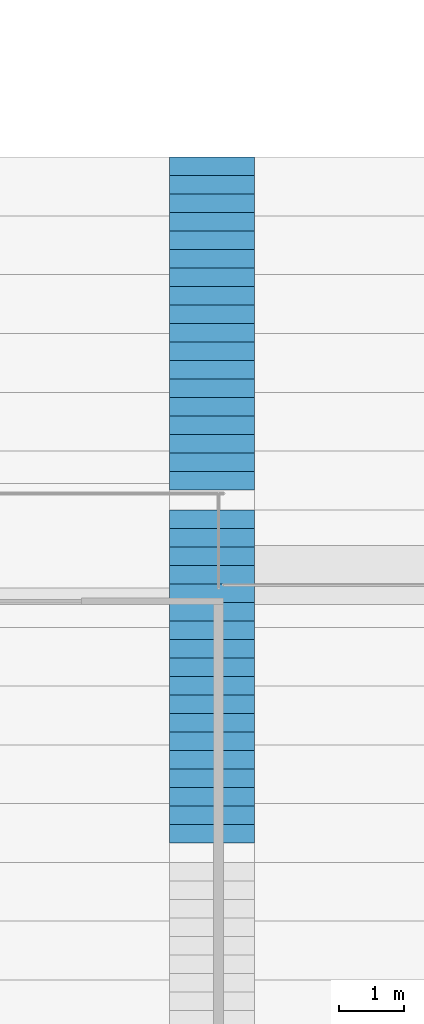
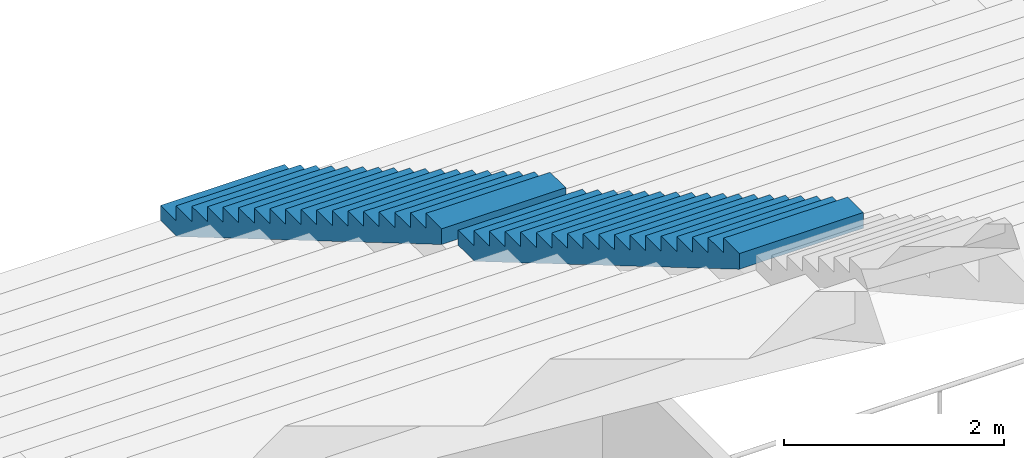
# One storey, part 150 of 249: 2 stair flights, 1 element without a shape of its own.
"""IFC4 building model written with IfcOpenShell, lengths in metres."""

from ifc_helpers import new_model, si_unit, direction, frame, origin, place, context, subcontext, project, spatial, faceted_brep, material, type_object, element, aggregate, save


model = new_model("IFC4")

# Units and contexts
model_context = context("Model", 3, precision=1e-05, world=origin(), true_north=direction((0.0, 1.0)))
body_context = subcontext(model_context, "Body", "Model", "MODEL_VIEW")
ifc_project = project(units=[si_unit("LENGTHUNIT", "METRE"), si_unit("AREAUNIT", "SQUARE_METRE"), si_unit("VOLUMEUNIT", "CUBIC_METRE"), si_unit("PLANEANGLEUNIT", "RADIAN"), si_unit("MASSUNIT", "GRAM", prefix="KILO")], contexts=[model_context])

# Site, building, storey
site_placement = place(None, origin())
site = spatial("IfcSite", under=ifc_project, at=site_placement, CompositionType="ELEMENT")
building_placement = place(site_placement, origin())
building = spatial("IfcBuilding", under=site, at=building_placement, Name="Ogive Plaza Stadium", CompositionType="ELEMENT")
storey_placement = place(building_placement, frame((0.0, 0.0, 13.5)))
storey = spatial("IfcBuildingStorey", under=building, at=storey_placement, Name="L03", CompositionType="ELEMENT", Elevation=13.5)

# Stair, stair flights
ifc_material_1 = material(Name="Concrete C40/50", Category="concrete")
stair_type = type_object("IfcStairType", Name="Aisle stair", PredefinedType="STRAIGHT_RUN_STAIR", material=ifc_material_1)
stair_placement = place(storey_placement, origin())
stair = element("IfcStair", 1, at=stair_placement, inside=storey, type_object=stair_type, Name="Aisle stair SA15U", PredefinedType="STRAIGHT_RUN_STAIR")
ifc_material_2 = material(Name="Concrete C40/50", Category="concrete")
stair_flight_type = type_object("IfcStairFlightType", Name="Aisle stair flight", PredefinedType="STRAIGHT", material=ifc_material_2)
stair_flight_1_placement = place(storey_placement, frame((-13.60009765625, -74.0, 0.5), z_axis=(0.0, 0.0, 1.0), x_axis=(0.0, -1.0, 0.0)))
stair_flight_1 = element("IfcStairFlight", 2, at=stair_flight_1_placement, type_object=stair_flight_type, Name="SA15U flight 1", NumberOfRisers=18, NumberOfTreads=17, PredefinedType="STRAIGHT", RiserHeight=0.166666667, TreadLength=0.283333333, context=body_context, shape_type="Brep", body=[
    faceted_brep([(0.295654296875, -0.64990234375, 0.0), (5.10009765625, -0.64990234375, 2.826171875), (5.10009765625, -0.64990234375, 3.0), (4.816650390625, -0.64990234375, 3.0), (4.816650390625, -0.64990234375, 2.833251953125), (4.533447265625, -0.64990234375, 2.833251953125), (4.533447265625, -0.64990234375, 2.666748046875), (4.25, -0.64990234375, 2.666748046875), (4.25, -0.64990234375, 2.5), (3.966552734375, -0.64990234375, 2.5), (3.966552734375, -0.64990234375, 2.333251953125), (3.683349609375, -0.64990234375, 2.333251953125), (3.683349609375, -0.64990234375, 2.166748046875), (3.39990234375, -0.64990234375, 2.166748046875), (3.39990234375, -0.64990234375, 2.0), (3.11669921875, -0.64990234375, 2.0), (3.11669921875, -0.64990234375, 1.833251953125), (2.833251953125, -0.64990234375, 1.833251953125), (2.833251953125, -0.64990234375, 1.666748046875), (2.550048828125, -0.64990234375, 1.666748046875), (2.550048828125, -0.64990234375, 1.5), (2.2666015625, -0.64990234375, 1.5), (2.2666015625, -0.64990234375, 1.333251953125), (1.9833984375, -0.64990234375, 1.333251953125), (1.9833984375, -0.64990234375, 1.166748046875), (1.699951171875, -0.64990234375, 1.166748046875), (1.699951171875, -0.64990234375, 1.0), (1.416748046875, -0.64990234375, 1.0), (1.416748046875, -0.64990234375, 0.833251953125), (1.13330078125, -0.64990234375, 0.833251953125), (1.13330078125, -0.64990234375, 0.666748046875), (0.85009765625, -0.64990234375, 0.666748046875), (0.85009765625, -0.64990234375, 0.5), (0.566650390625, -0.64990234375, 0.5), (0.566650390625, -0.64990234375, 0.333251953125), (0.283447265625, -0.64990234375, 0.333251953125), (0.283447265625, -0.64990234375, 0.166748046875), (0.0, -0.64990234375, 0.166748046875), (0.0, -0.64990234375, 0.0), (0.0, 0.64990234375, 0.0), (0.0, 0.64990234375, 0.166748046875), (0.283447265625, 0.64990234375, 0.166748046875), (0.283447265625, 0.64990234375, 0.333251953125), (0.566650390625, 0.64990234375, 0.333251953125), (0.566650390625, 0.64990234375, 0.5), (0.85009765625, 0.64990234375, 0.5), (0.85009765625, 0.64990234375, 0.666748046875), (1.13330078125, 0.64990234375, 0.666748046875), (1.13330078125, 0.64990234375, 0.833251953125), (1.416748046875, 0.64990234375, 0.833251953125), (1.416748046875, 0.64990234375, 1.0), (1.699951171875, 0.64990234375, 1.0), (1.699951171875, 0.64990234375, 1.166748046875), (1.9833984375, 0.64990234375, 1.166748046875), (1.9833984375, 0.64990234375, 1.333251953125), (2.2666015625, 0.64990234375, 1.333251953125), (2.2666015625, 0.64990234375, 1.5), (2.550048828125, 0.64990234375, 1.5), (2.550048828125, 0.64990234375, 1.666748046875), (2.833251953125, 0.64990234375, 1.666748046875), (2.833251953125, 0.64990234375, 1.833251953125), (3.11669921875, 0.64990234375, 1.833251953125), (3.11669921875, 0.64990234375, 2.0), (3.39990234375, 0.64990234375, 2.0), (3.39990234375, 0.64990234375, 2.166748046875), (3.683349609375, 0.64990234375, 2.166748046875), (3.683349609375, 0.64990234375, 2.333251953125), (3.966552734375, 0.64990234375, 2.333251953125), (3.966552734375, 0.64990234375, 2.5), (4.25, 0.64990234375, 2.5), (4.25, 0.64990234375, 2.666748046875), (4.533447265625, 0.64990234375, 2.666748046875), (4.533447265625, 0.64990234375, 2.833251953125), (4.816650390625, 0.64990234375, 2.833251953125), (4.816650390625, 0.64990234375, 3.0), (5.10009765625, 0.64990234375, 3.0), (5.10009765625, 0.64990234375, 2.826171875), (0.295654296875, 0.64990234375, 0.0), (0.295654296875, -0.324951171875, 0.0), (5.10009765625, -0.324951171875, 2.826171875), (0.295654296875, 0.0, 0.0), (5.10009765625, 0.0, 2.826171875), (0.295654296875, 0.324951171875, 0.0), (5.10009765625, 0.324951171875, 2.826171875), (5.10009765625, -0.324951171875, 3.0), (5.10009765625, 0.0, 3.0), (5.10009765625, 0.324951171875, 3.0), (4.816650390625, -0.324951171875, 3.0), (4.816650390625, 0.0, 3.0), (4.816650390625, 0.324951171875, 3.0), (4.816650390625, -0.324951171875, 2.833251953125), (4.816650390625, 0.0, 2.833251953125), (4.816650390625, 0.324951171875, 2.833251953125), (4.533447265625, -0.324951171875, 2.833251953125), (4.533447265625, 0.0, 2.833251953125), (4.533447265625, 0.324951171875, 2.833251953125), (4.533447265625, -0.324951171875, 2.666748046875), (4.533447265625, 0.0, 2.666748046875), (4.533447265625, 0.324951171875, 2.666748046875), (4.25, -0.324951171875, 2.666748046875), (4.25, 0.0, 2.666748046875), (4.25, 0.324951171875, 2.666748046875), (4.25, -0.324951171875, 2.5), (4.25, 0.0, 2.5), (4.25, 0.324951171875, 2.5), (3.966552734375, -0.324951171875, 2.5), (3.966552734375, 0.0, 2.5), (3.966552734375, 0.324951171875, 2.5), (3.966552734375, -0.324951171875, 2.333251953125), (3.966552734375, 0.0, 2.333251953125), (3.966552734375, 0.324951171875, 2.333251953125), (3.683349609375, -0.324951171875, 2.333251953125), (3.683349609375, 0.0, 2.333251953125), (3.683349609375, 0.324951171875, 2.333251953125), (3.683349609375, -0.324951171875, 2.166748046875), (3.683349609375, 0.0, 2.166748046875), (3.683349609375, 0.324951171875, 2.166748046875), (3.39990234375, -0.324951171875, 2.166748046875), (3.39990234375, 0.0, 2.166748046875), (3.39990234375, 0.324951171875, 2.166748046875), (3.39990234375, -0.324951171875, 2.0), (3.39990234375, 0.0, 2.0), (3.39990234375, 0.324951171875, 2.0), (3.11669921875, -0.324951171875, 2.0), (3.11669921875, 0.0, 2.0), (3.11669921875, 0.324951171875, 2.0), (3.11669921875, -0.324951171875, 1.833251953125), (3.11669921875, 0.0, 1.833251953125), (3.11669921875, 0.324951171875, 1.833251953125), (2.833251953125, -0.324951171875, 1.833251953125), (2.833251953125, 0.0, 1.833251953125), (2.833251953125, 0.324951171875, 1.833251953125), (2.833251953125, -0.324951171875, 1.666748046875), (2.833251953125, 0.0, 1.666748046875), (2.833251953125, 0.324951171875, 1.666748046875), (2.550048828125, -0.324951171875, 1.666748046875), (2.550048828125, 0.0, 1.666748046875), (2.550048828125, 0.324951171875, 1.666748046875), (2.550048828125, -0.324951171875, 1.5), (2.550048828125, 0.0, 1.5), (2.550048828125, 0.324951171875, 1.5), (2.2666015625, -0.324951171875, 1.5), (2.2666015625, 0.0, 1.5), (2.2666015625, 0.324951171875, 1.5), (2.2666015625, -0.324951171875, 1.333251953125), (2.2666015625, 0.0, 1.333251953125), (2.2666015625, 0.324951171875, 1.333251953125), (1.9833984375, -0.324951171875, 1.333251953125), (1.9833984375, 0.0, 1.333251953125), (1.9833984375, 0.324951171875, 1.333251953125), (1.9833984375, -0.324951171875, 1.166748046875), (1.9833984375, 0.0, 1.166748046875), (1.9833984375, 0.324951171875, 1.166748046875), (1.699951171875, -0.324951171875, 1.166748046875), (1.699951171875, 0.0, 1.166748046875), (1.699951171875, 0.324951171875, 1.166748046875), (1.699951171875, -0.324951171875, 1.0), (1.699951171875, 0.0, 1.0), (1.699951171875, 0.324951171875, 1.0), (1.416748046875, -0.324951171875, 1.0), (1.416748046875, 0.0, 1.0), (1.416748046875, 0.324951171875, 1.0), (1.416748046875, -0.324951171875, 0.833251953125), (1.416748046875, 0.0, 0.833251953125), (1.416748046875, 0.324951171875, 0.833251953125), (1.13330078125, -0.324951171875, 0.833251953125), (1.13330078125, 0.0, 0.833251953125), (1.13330078125, 0.324951171875, 0.833251953125), (1.13330078125, -0.324951171875, 0.666748046875), (1.13330078125, 0.0, 0.666748046875), (1.13330078125, 0.324951171875, 0.666748046875), (0.85009765625, -0.324951171875, 0.666748046875), (0.85009765625, 0.0, 0.666748046875), (0.85009765625, 0.324951171875, 0.666748046875), (0.85009765625, -0.324951171875, 0.5), (0.85009765625, 0.0, 0.5), (0.85009765625, 0.324951171875, 0.5), (0.566650390625, -0.324951171875, 0.5), (0.566650390625, 0.0, 0.5), (0.566650390625, 0.324951171875, 0.5), (0.566650390625, -0.324951171875, 0.333251953125), (0.566650390625, 0.0, 0.333251953125), (0.566650390625, 0.324951171875, 0.333251953125), (0.283447265625, -0.324951171875, 0.333251953125), (0.283447265625, 0.0, 0.333251953125), (0.283447265625, 0.324951171875, 0.333251953125), (0.283447265625, -0.324951171875, 0.166748046875), (0.283447265625, 0.0, 0.166748046875), (0.283447265625, 0.324951171875, 0.166748046875), (0.0, -0.324951171875, 0.166748046875), (0.0, 0.0, 0.166748046875), (0.0, 0.324951171875, 0.166748046875), (0.0, -0.324951171875, 0.0), (0.0, 0.0, 0.0), (0.0, 0.324951171875, 0.0)], [[[0, 1, 2, 3, 4, 5, 6, 7, 8, 9, 10, 11, 12, 13, 14, 15, 16, 17, 18, 19, 20, 21, 22, 23, 24, 25, 26, 27, 28, 29, 30, 31, 32, 33, 34, 35, 36, 37, 38]], [[39, 40, 41, 42, 43, 44, 45, 46, 47, 48, 49, 50, 51, 52, 53, 54, 55, 56, 57, 58, 59, 60, 61, 62, 63, 64, 65, 66, 67, 68, 69, 70, 71, 72, 73, 74, 75, 76, 77]], [[0, 78, 79, 1]], [[78, 80, 81, 79]], [[80, 82, 83, 81]], [[82, 77, 76, 83]], [[1, 79, 84, 2]], [[79, 81, 85, 84]], [[81, 83, 86, 85]], [[83, 76, 75, 86]], [[2, 84, 87, 3]], [[84, 85, 88, 87]], [[85, 86, 89, 88]], [[86, 75, 74, 89]], [[3, 87, 90, 4]], [[87, 88, 91, 90]], [[88, 89, 92, 91]], [[89, 74, 73, 92]], [[4, 90, 93, 5]], [[90, 91, 94, 93]], [[91, 92, 95, 94]], [[92, 73, 72, 95]], [[5, 93, 96, 6]], [[93, 94, 97, 96]], [[94, 95, 98, 97]], [[95, 72, 71, 98]], [[6, 96, 99, 7]], [[96, 97, 100, 99]], [[97, 98, 101, 100]], [[98, 71, 70, 101]], [[7, 99, 102, 8]], [[99, 100, 103, 102]], [[100, 101, 104, 103]], [[101, 70, 69, 104]], [[8, 102, 105, 9]], [[102, 103, 106, 105]], [[103, 104, 107, 106]], [[104, 69, 68, 107]], [[9, 105, 108, 10]], [[105, 106, 109, 108]], [[106, 107, 110, 109]], [[107, 68, 67, 110]], [[10, 108, 111, 11]], [[108, 109, 112, 111]], [[109, 110, 113, 112]], [[110, 67, 66, 113]], [[11, 111, 114, 12]], [[111, 112, 115, 114]], [[112, 113, 116, 115]], [[113, 66, 65, 116]], [[12, 114, 117, 13]], [[114, 115, 118, 117]], [[115, 116, 119, 118]], [[116, 65, 64, 119]], [[13, 117, 120, 14]], [[117, 118, 121, 120]], [[118, 119, 122, 121]], [[119, 64, 63, 122]], [[14, 120, 123, 15]], [[120, 121, 124, 123]], [[121, 122, 125, 124]], [[122, 63, 62, 125]], [[15, 123, 126, 16]], [[123, 124, 127, 126]], [[124, 125, 128, 127]], [[125, 62, 61, 128]], [[16, 126, 129, 17]], [[126, 127, 130, 129]], [[127, 128, 131, 130]], [[128, 61, 60, 131]], [[17, 129, 132, 18]], [[129, 130, 133, 132]], [[130, 131, 134, 133]], [[131, 60, 59, 134]], [[18, 132, 135, 19]], [[132, 133, 136, 135]], [[133, 134, 137, 136]], [[134, 59, 58, 137]], [[19, 135, 138, 20]], [[135, 136, 139, 138]], [[136, 137, 140, 139]], [[137, 58, 57, 140]], [[20, 138, 141, 21]], [[138, 139, 142, 141]], [[139, 140, 143, 142]], [[140, 57, 56, 143]], [[21, 141, 144, 22]], [[141, 142, 145, 144]], [[142, 143, 146, 145]], [[143, 56, 55, 146]], [[22, 144, 147, 23]], [[144, 145, 148, 147]], [[145, 146, 149, 148]], [[146, 55, 54, 149]], [[23, 147, 150, 24]], [[147, 148, 151, 150]], [[148, 149, 152, 151]], [[149, 54, 53, 152]], [[24, 150, 153, 25]], [[150, 151, 154, 153]], [[151, 152, 155, 154]], [[152, 53, 52, 155]], [[25, 153, 156, 26]], [[153, 154, 157, 156]], [[154, 155, 158, 157]], [[155, 52, 51, 158]], [[26, 156, 159, 27]], [[156, 157, 160, 159]], [[157, 158, 161, 160]], [[158, 51, 50, 161]], [[27, 159, 162, 28]], [[159, 160, 163, 162]], [[160, 161, 164, 163]], [[161, 50, 49, 164]], [[28, 162, 165, 29]], [[162, 163, 166, 165]], [[163, 164, 167, 166]], [[164, 49, 48, 167]], [[29, 165, 168, 30]], [[165, 166, 169, 168]], [[166, 167, 170, 169]], [[167, 48, 47, 170]], [[30, 168, 171, 31]], [[168, 169, 172, 171]], [[169, 170, 173, 172]], [[170, 47, 46, 173]], [[31, 171, 174, 32]], [[171, 172, 175, 174]], [[172, 173, 176, 175]], [[173, 46, 45, 176]], [[32, 174, 177, 33]], [[174, 175, 178, 177]], [[175, 176, 179, 178]], [[176, 45, 44, 179]], [[33, 177, 180, 34]], [[177, 178, 181, 180]], [[178, 179, 182, 181]], [[179, 44, 43, 182]], [[34, 180, 183, 35]], [[180, 181, 184, 183]], [[181, 182, 185, 184]], [[182, 43, 42, 185]], [[35, 183, 186, 36]], [[183, 184, 187, 186]], [[184, 185, 188, 187]], [[185, 42, 41, 188]], [[36, 186, 189, 37]], [[186, 187, 190, 189]], [[187, 188, 191, 190]], [[188, 41, 40, 191]], [[37, 189, 192, 38]], [[189, 190, 193, 192]], [[190, 191, 194, 193]], [[191, 40, 39, 194]], [[38, 192, 78, 0]], [[192, 193, 80, 78]], [[193, 194, 82, 80]], [[194, 39, 77, 82]]]),
])
stair_flight_2_placement = place(storey_placement, frame((-13.60009765625, -79.39990234375, 3.5), z_axis=(0.0, 0.0, 1.0), x_axis=(0.0, -1.0, 0.0)))
stair_flight_2 = element("IfcStairFlight", 3, at=stair_flight_2_placement, type_object=stair_flight_type, Name="SA15U flight 2", NumberOfRisers=18, NumberOfTreads=17, PredefinedType="STRAIGHT", RiserHeight=0.166666667, TreadLength=0.283333333, context=body_context, shape_type="Brep", body=[
    faceted_brep([(0.295654296875, -0.64990234375, 0.0), (5.10009765625, -0.64990234375, 2.826171875), (5.10009765625, -0.64990234375, 3.0), (4.816650390625, -0.64990234375, 3.0), (4.816650390625, -0.64990234375, 2.833251953125), (4.533447265625, -0.64990234375, 2.833251953125), (4.533447265625, -0.64990234375, 2.666748046875), (4.25, -0.64990234375, 2.666748046875), (4.25, -0.64990234375, 2.5), (3.966552734375, -0.64990234375, 2.5), (3.966552734375, -0.64990234375, 2.333251953125), (3.683349609375, -0.64990234375, 2.333251953125), (3.683349609375, -0.64990234375, 2.166748046875), (3.39990234375, -0.64990234375, 2.166748046875), (3.39990234375, -0.64990234375, 2.0), (3.11669921875, -0.64990234375, 2.0), (3.11669921875, -0.64990234375, 1.833251953125), (2.833251953125, -0.64990234375, 1.833251953125), (2.833251953125, -0.64990234375, 1.666748046875), (2.550048828125, -0.64990234375, 1.666748046875), (2.550048828125, -0.64990234375, 1.5), (2.2666015625, -0.64990234375, 1.5), (2.2666015625, -0.64990234375, 1.333251953125), (1.9833984375, -0.64990234375, 1.333251953125), (1.9833984375, -0.64990234375, 1.166748046875), (1.699951171875, -0.64990234375, 1.166748046875), (1.699951171875, -0.64990234375, 1.0), (1.416748046875, -0.64990234375, 1.0), (1.416748046875, -0.64990234375, 0.833251953125), (1.13330078125, -0.64990234375, 0.833251953125), (1.13330078125, -0.64990234375, 0.666748046875), (0.85009765625, -0.64990234375, 0.666748046875), (0.85009765625, -0.64990234375, 0.5), (0.566650390625, -0.64990234375, 0.5), (0.566650390625, -0.64990234375, 0.333251953125), (0.283447265625, -0.64990234375, 0.333251953125), (0.283447265625, -0.64990234375, 0.166748046875), (0.0, -0.64990234375, 0.166748046875), (0.0, -0.64990234375, 0.0), (0.0, 0.64990234375, 0.0), (0.0, 0.64990234375, 0.166748046875), (0.283447265625, 0.64990234375, 0.166748046875), (0.283447265625, 0.64990234375, 0.333251953125), (0.566650390625, 0.64990234375, 0.333251953125), (0.566650390625, 0.64990234375, 0.5), (0.85009765625, 0.64990234375, 0.5), (0.85009765625, 0.64990234375, 0.666748046875), (1.13330078125, 0.64990234375, 0.666748046875), (1.13330078125, 0.64990234375, 0.833251953125), (1.416748046875, 0.64990234375, 0.833251953125), (1.416748046875, 0.64990234375, 1.0), (1.699951171875, 0.64990234375, 1.0), (1.699951171875, 0.64990234375, 1.166748046875), (1.9833984375, 0.64990234375, 1.166748046875), (1.9833984375, 0.64990234375, 1.333251953125), (2.2666015625, 0.64990234375, 1.333251953125), (2.2666015625, 0.64990234375, 1.5), (2.550048828125, 0.64990234375, 1.5), (2.550048828125, 0.64990234375, 1.666748046875), (2.833251953125, 0.64990234375, 1.666748046875), (2.833251953125, 0.64990234375, 1.833251953125), (3.11669921875, 0.64990234375, 1.833251953125), (3.11669921875, 0.64990234375, 2.0), (3.39990234375, 0.64990234375, 2.0), (3.39990234375, 0.64990234375, 2.166748046875), (3.683349609375, 0.64990234375, 2.166748046875), (3.683349609375, 0.64990234375, 2.333251953125), (3.966552734375, 0.64990234375, 2.333251953125), (3.966552734375, 0.64990234375, 2.5), (4.25, 0.64990234375, 2.5), (4.25, 0.64990234375, 2.666748046875), (4.533447265625, 0.64990234375, 2.666748046875), (4.533447265625, 0.64990234375, 2.833251953125), (4.816650390625, 0.64990234375, 2.833251953125), (4.816650390625, 0.64990234375, 3.0), (5.10009765625, 0.64990234375, 3.0), (5.10009765625, 0.64990234375, 2.826171875), (0.295654296875, 0.64990234375, 0.0), (0.295654296875, -0.324951171875, 0.0), (5.10009765625, -0.324951171875, 2.826171875), (0.295654296875, 0.0, 0.0), (5.10009765625, 0.0, 2.826171875), (0.295654296875, 0.324951171875, 0.0), (5.10009765625, 0.324951171875, 2.826171875), (5.10009765625, -0.324951171875, 3.0), (5.10009765625, 0.0, 3.0), (5.10009765625, 0.324951171875, 3.0), (4.816650390625, -0.324951171875, 3.0), (4.816650390625, 0.0, 3.0), (4.816650390625, 0.324951171875, 3.0), (4.816650390625, -0.324951171875, 2.833251953125), (4.816650390625, 0.0, 2.833251953125), (4.816650390625, 0.324951171875, 2.833251953125), (4.533447265625, -0.324951171875, 2.833251953125), (4.533447265625, 0.0, 2.833251953125), (4.533447265625, 0.324951171875, 2.833251953125), (4.533447265625, -0.324951171875, 2.666748046875), (4.533447265625, 0.0, 2.666748046875), (4.533447265625, 0.324951171875, 2.666748046875), (4.25, -0.324951171875, 2.666748046875), (4.25, 0.0, 2.666748046875), (4.25, 0.324951171875, 2.666748046875), (4.25, -0.324951171875, 2.5), (4.25, 0.0, 2.5), (4.25, 0.324951171875, 2.5), (3.966552734375, -0.324951171875, 2.5), (3.966552734375, 0.0, 2.5), (3.966552734375, 0.324951171875, 2.5), (3.966552734375, -0.324951171875, 2.333251953125), (3.966552734375, 0.0, 2.333251953125), (3.966552734375, 0.324951171875, 2.333251953125), (3.683349609375, -0.324951171875, 2.333251953125), (3.683349609375, 0.0, 2.333251953125), (3.683349609375, 0.324951171875, 2.333251953125), (3.683349609375, -0.324951171875, 2.166748046875), (3.683349609375, 0.0, 2.166748046875), (3.683349609375, 0.324951171875, 2.166748046875), (3.39990234375, -0.324951171875, 2.166748046875), (3.39990234375, 0.0, 2.166748046875), (3.39990234375, 0.324951171875, 2.166748046875), (3.39990234375, -0.324951171875, 2.0), (3.39990234375, 0.0, 2.0), (3.39990234375, 0.324951171875, 2.0), (3.11669921875, -0.324951171875, 2.0), (3.11669921875, 0.0, 2.0), (3.11669921875, 0.324951171875, 2.0), (3.11669921875, -0.324951171875, 1.833251953125), (3.11669921875, 0.0, 1.833251953125), (3.11669921875, 0.324951171875, 1.833251953125), (2.833251953125, -0.324951171875, 1.833251953125), (2.833251953125, 0.0, 1.833251953125), (2.833251953125, 0.324951171875, 1.833251953125), (2.833251953125, -0.324951171875, 1.666748046875), (2.833251953125, 0.0, 1.666748046875), (2.833251953125, 0.324951171875, 1.666748046875), (2.550048828125, -0.324951171875, 1.666748046875), (2.550048828125, 0.0, 1.666748046875), (2.550048828125, 0.324951171875, 1.666748046875), (2.550048828125, -0.324951171875, 1.5), (2.550048828125, 0.0, 1.5), (2.550048828125, 0.324951171875, 1.5), (2.2666015625, -0.324951171875, 1.5), (2.2666015625, 0.0, 1.5), (2.2666015625, 0.324951171875, 1.5), (2.2666015625, -0.324951171875, 1.333251953125), (2.2666015625, 0.0, 1.333251953125), (2.2666015625, 0.324951171875, 1.333251953125), (1.9833984375, -0.324951171875, 1.333251953125), (1.9833984375, 0.0, 1.333251953125), (1.9833984375, 0.324951171875, 1.333251953125), (1.9833984375, -0.324951171875, 1.166748046875), (1.9833984375, 0.0, 1.166748046875), (1.9833984375, 0.324951171875, 1.166748046875), (1.699951171875, -0.324951171875, 1.166748046875), (1.699951171875, 0.0, 1.166748046875), (1.699951171875, 0.324951171875, 1.166748046875), (1.699951171875, -0.324951171875, 1.0), (1.699951171875, 0.0, 1.0), (1.699951171875, 0.324951171875, 1.0), (1.416748046875, -0.324951171875, 1.0), (1.416748046875, 0.0, 1.0), (1.416748046875, 0.324951171875, 1.0), (1.416748046875, -0.324951171875, 0.833251953125), (1.416748046875, 0.0, 0.833251953125), (1.416748046875, 0.324951171875, 0.833251953125), (1.13330078125, -0.324951171875, 0.833251953125), (1.13330078125, 0.0, 0.833251953125), (1.13330078125, 0.324951171875, 0.833251953125), (1.13330078125, -0.324951171875, 0.666748046875), (1.13330078125, 0.0, 0.666748046875), (1.13330078125, 0.324951171875, 0.666748046875), (0.85009765625, -0.324951171875, 0.666748046875), (0.85009765625, 0.0, 0.666748046875), (0.85009765625, 0.324951171875, 0.666748046875), (0.85009765625, -0.324951171875, 0.5), (0.85009765625, 0.0, 0.5), (0.85009765625, 0.324951171875, 0.5), (0.566650390625, -0.324951171875, 0.5), (0.566650390625, 0.0, 0.5), (0.566650390625, 0.324951171875, 0.5), (0.566650390625, -0.324951171875, 0.333251953125), (0.566650390625, 0.0, 0.333251953125), (0.566650390625, 0.324951171875, 0.333251953125), (0.283447265625, -0.324951171875, 0.333251953125), (0.283447265625, 0.0, 0.333251953125), (0.283447265625, 0.324951171875, 0.333251953125), (0.283447265625, -0.324951171875, 0.166748046875), (0.283447265625, 0.0, 0.166748046875), (0.283447265625, 0.324951171875, 0.166748046875), (0.0, -0.324951171875, 0.166748046875), (0.0, 0.0, 0.166748046875), (0.0, 0.324951171875, 0.166748046875), (0.0, -0.324951171875, 0.0), (0.0, 0.0, 0.0), (0.0, 0.324951171875, 0.0)], [[[0, 1, 2, 3, 4, 5, 6, 7, 8, 9, 10, 11, 12, 13, 14, 15, 16, 17, 18, 19, 20, 21, 22, 23, 24, 25, 26, 27, 28, 29, 30, 31, 32, 33, 34, 35, 36, 37, 38]], [[39, 40, 41, 42, 43, 44, 45, 46, 47, 48, 49, 50, 51, 52, 53, 54, 55, 56, 57, 58, 59, 60, 61, 62, 63, 64, 65, 66, 67, 68, 69, 70, 71, 72, 73, 74, 75, 76, 77]], [[0, 78, 79, 1]], [[78, 80, 81, 79]], [[80, 82, 83, 81]], [[82, 77, 76, 83]], [[1, 79, 84, 2]], [[79, 81, 85, 84]], [[81, 83, 86, 85]], [[83, 76, 75, 86]], [[2, 84, 87, 3]], [[84, 85, 88, 87]], [[85, 86, 89, 88]], [[86, 75, 74, 89]], [[3, 87, 90, 4]], [[87, 88, 91, 90]], [[88, 89, 92, 91]], [[89, 74, 73, 92]], [[4, 90, 93, 5]], [[90, 91, 94, 93]], [[91, 92, 95, 94]], [[92, 73, 72, 95]], [[5, 93, 96, 6]], [[93, 94, 97, 96]], [[94, 95, 98, 97]], [[95, 72, 71, 98]], [[6, 96, 99, 7]], [[96, 97, 100, 99]], [[97, 98, 101, 100]], [[98, 71, 70, 101]], [[7, 99, 102, 8]], [[99, 100, 103, 102]], [[100, 101, 104, 103]], [[101, 70, 69, 104]], [[8, 102, 105, 9]], [[102, 103, 106, 105]], [[103, 104, 107, 106]], [[104, 69, 68, 107]], [[9, 105, 108, 10]], [[105, 106, 109, 108]], [[106, 107, 110, 109]], [[107, 68, 67, 110]], [[10, 108, 111, 11]], [[108, 109, 112, 111]], [[109, 110, 113, 112]], [[110, 67, 66, 113]], [[11, 111, 114, 12]], [[111, 112, 115, 114]], [[112, 113, 116, 115]], [[113, 66, 65, 116]], [[12, 114, 117, 13]], [[114, 115, 118, 117]], [[115, 116, 119, 118]], [[116, 65, 64, 119]], [[13, 117, 120, 14]], [[117, 118, 121, 120]], [[118, 119, 122, 121]], [[119, 64, 63, 122]], [[14, 120, 123, 15]], [[120, 121, 124, 123]], [[121, 122, 125, 124]], [[122, 63, 62, 125]], [[15, 123, 126, 16]], [[123, 124, 127, 126]], [[124, 125, 128, 127]], [[125, 62, 61, 128]], [[16, 126, 129, 17]], [[126, 127, 130, 129]], [[127, 128, 131, 130]], [[128, 61, 60, 131]], [[17, 129, 132, 18]], [[129, 130, 133, 132]], [[130, 131, 134, 133]], [[131, 60, 59, 134]], [[18, 132, 135, 19]], [[132, 133, 136, 135]], [[133, 134, 137, 136]], [[134, 59, 58, 137]], [[19, 135, 138, 20]], [[135, 136, 139, 138]], [[136, 137, 140, 139]], [[137, 58, 57, 140]], [[20, 138, 141, 21]], [[138, 139, 142, 141]], [[139, 140, 143, 142]], [[140, 57, 56, 143]], [[21, 141, 144, 22]], [[141, 142, 145, 144]], [[142, 143, 146, 145]], [[143, 56, 55, 146]], [[22, 144, 147, 23]], [[144, 145, 148, 147]], [[145, 146, 149, 148]], [[146, 55, 54, 149]], [[23, 147, 150, 24]], [[147, 148, 151, 150]], [[148, 149, 152, 151]], [[149, 54, 53, 152]], [[24, 150, 153, 25]], [[150, 151, 154, 153]], [[151, 152, 155, 154]], [[152, 53, 52, 155]], [[25, 153, 156, 26]], [[153, 154, 157, 156]], [[154, 155, 158, 157]], [[155, 52, 51, 158]], [[26, 156, 159, 27]], [[156, 157, 160, 159]], [[157, 158, 161, 160]], [[158, 51, 50, 161]], [[27, 159, 162, 28]], [[159, 160, 163, 162]], [[160, 161, 164, 163]], [[161, 50, 49, 164]], [[28, 162, 165, 29]], [[162, 163, 166, 165]], [[163, 164, 167, 166]], [[164, 49, 48, 167]], [[29, 165, 168, 30]], [[165, 166, 169, 168]], [[166, 167, 170, 169]], [[167, 48, 47, 170]], [[30, 168, 171, 31]], [[168, 169, 172, 171]], [[169, 170, 173, 172]], [[170, 47, 46, 173]], [[31, 171, 174, 32]], [[171, 172, 175, 174]], [[172, 173, 176, 175]], [[173, 46, 45, 176]], [[32, 174, 177, 33]], [[174, 175, 178, 177]], [[175, 176, 179, 178]], [[176, 45, 44, 179]], [[33, 177, 180, 34]], [[177, 178, 181, 180]], [[178, 179, 182, 181]], [[179, 44, 43, 182]], [[34, 180, 183, 35]], [[180, 181, 184, 183]], [[181, 182, 185, 184]], [[182, 43, 42, 185]], [[35, 183, 186, 36]], [[183, 184, 187, 186]], [[184, 185, 188, 187]], [[185, 42, 41, 188]], [[36, 186, 189, 37]], [[186, 187, 190, 189]], [[187, 188, 191, 190]], [[188, 41, 40, 191]], [[37, 189, 192, 38]], [[189, 190, 193, 192]], [[190, 191, 194, 193]], [[191, 40, 39, 194]], [[38, 192, 78, 0]], [[192, 193, 80, 78]], [[193, 194, 82, 80]], [[194, 39, 77, 82]]]),
])
aggregate(stair, [stair_flight_1, stair_flight_2])

save(model, "model.ifc")
